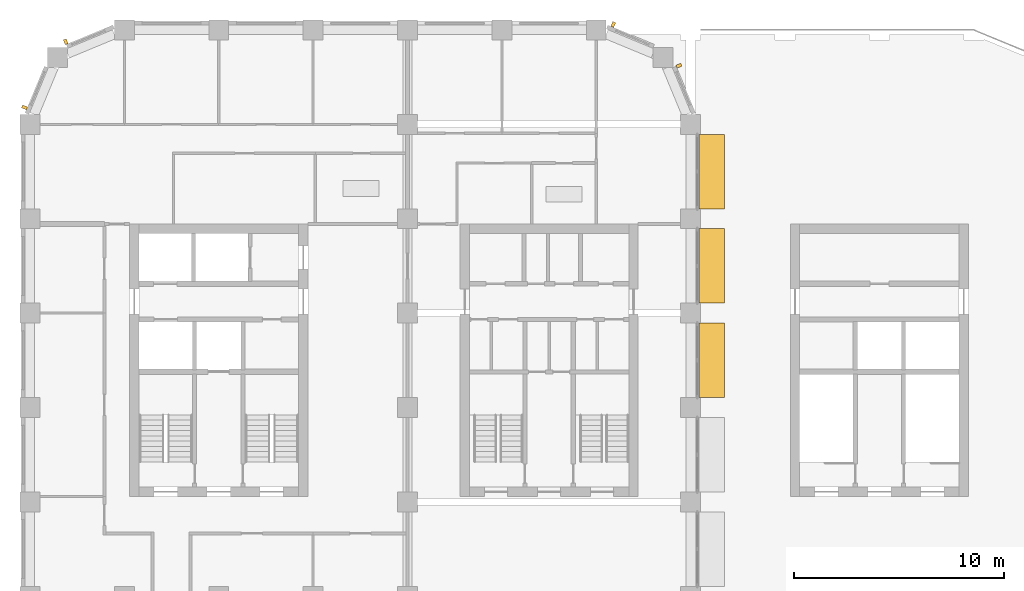
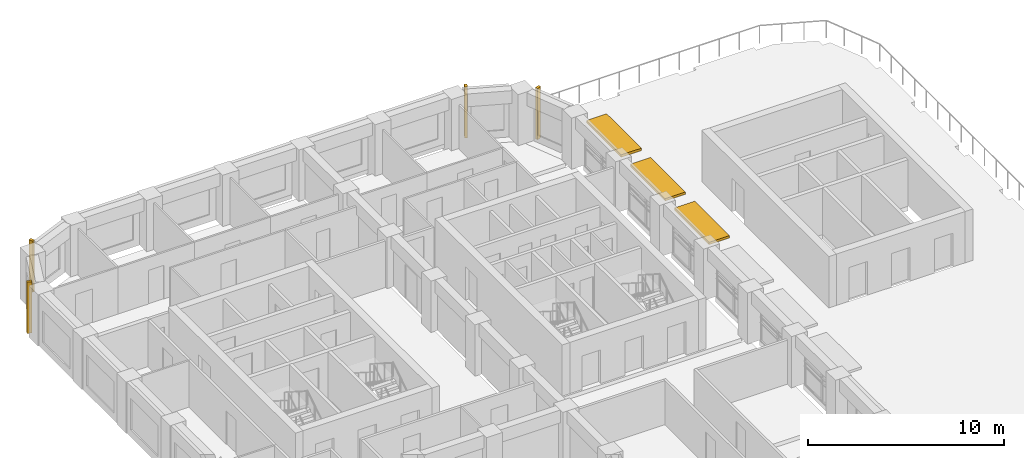
# One storey, part 14 of 15: 7 shading devices.
"""IFC4 building model written with IfcOpenShell, lengths in metres."""

from ifc_helpers import new_model, si_unit, direction, frame, origin, origin_2d, place, context, subcontext, project, spatial, rectangle, extrude, material, layer, layer_set, type_object, element, save


model = new_model("IFC4")

# Units and contexts
model_context = context("Model", 3, precision=1e-05, world=origin(), true_north=direction((0.0, 1.0)))
body_context = subcontext(model_context, "Body", "Model", "MODEL_VIEW")
ifc_project = project(units=[si_unit("LENGTHUNIT", "METRE"), si_unit("AREAUNIT", "SQUARE_METRE"), si_unit("VOLUMEUNIT", "CUBIC_METRE"), si_unit("PLANEANGLEUNIT", "RADIAN"), si_unit("MASSUNIT", "GRAM", prefix="KILO")], contexts=[model_context])

# Site, building, storey
site_placement = place(None, origin())
site = spatial("IfcSite", under=ifc_project, at=site_placement, CompositionType="ELEMENT")
building_placement = place(site_placement, origin())
building = spatial("IfcBuilding", under=site, at=building_placement, Name="Girih Gate Residences", CompositionType="ELEMENT")
storey_placement = place(building_placement, frame((0.0, 0.0, 176.300048828125)))
storey = spatial("IfcBuildingStorey", under=building, at=storey_placement, Name="L48", CompositionType="ELEMENT", Elevation=176.300048828125)

# Shading devices
ifc_material_1 = material(Name="Precast concrete C50/60", Category="concrete")
shading_device_type_1 = type_object("IfcShadingDeviceType", Name="Corner rib 150x250", PredefinedType="USERDEFINED", material=ifc_material_1)
for number, where, z_axis, x_axis, name in (
    (1, (30.937744140625, 47.794677734375, 0.0), (0.0, 0.0, 1.0), (-0.382683432365, 0.923879532511, 0.0), "Corner rib NE0315_0450.0"),
    (2, (27.808349609375, 49.760498046875, 0.0), (0.0, 0.0, 1.0), (-0.923879532511, 0.382683432365, 0.0), "Corner rib NE0302_0482.0"),
    (3, (1.705322265625, 48.937744140625, 0.0), (0.0, 0.0, 1.0), (-0.923879532511, -0.382683432365, 0.0), "Corner rib NW0045_0495.0"),
    (4, (-0.260498046875, 45.808349609375, 0.0), (0.0, 0.0, 1.0), (-0.382683432365, -0.923879532511, 0.0), "Corner rib NW0013_0482.0"),
):
    element("IfcShadingDevice", number, at=place(storey_placement, frame(where, z_axis=z_axis, x_axis=x_axis)), inside=storey, type_object=shading_device_type_1, Name=name, ObjectType="FIN", PredefinedType="USERDEFINED", context=body_context, shape_type="SweptSolid", body=[
        extrude(rectangle(XDim=0.14990234375, YDim=0.25, at=origin_2d()), origin(), (0.0, 0.0, 1.0), 3.199951171875),
    ])
ifc_material_2 = material(Name="Aluminium canopy", Category="aluminium")
ifc_layer = layer(ifc_material_2, 0.14990234375)
ifc_layer_set = layer_set([ifc_layer], Name="Sky lounge canopy 1200")
shading_device_type_2 = type_object("IfcShadingDeviceType", Name="Sky lounge canopy 1200", PredefinedType="AWNING", material=ifc_layer_set)
for number, where, z_axis, x_axis, name in (
    (5, (32.5048828125, 33.75, 2.60009765625), (0.0, 0.0, 1.0), (0.0, 1.0, 0.0), "Sky lounge canopy E0315_0045.6"),
    (6, (32.5048828125, 38.25, 2.60009765625), (0.0, 0.0, 1.0), (0.0, 1.0, 0.0), "Sky lounge canopy E0315_0045.7"),
    (7, (32.5048828125, 42.75, 2.60009765625), (0.0, 0.0, 1.0), (0.0, 1.0, 0.0), "Sky lounge canopy E0315_0045.8"),
):
    element("IfcShadingDevice", number, at=place(storey_placement, frame(where, z_axis=z_axis, x_axis=x_axis)), inside=storey, type_object=shading_device_type_2, Name=name, PredefinedType="AWNING", context=body_context, shape_type="SweptSolid", body=[
        extrude(rectangle(XDim=3.550048828125, YDim=1.199951171875, at=origin_2d()), origin(), (0.0, 0.0, 1.0), 0.14990234375),
    ])

save(model, "model.ifc")
